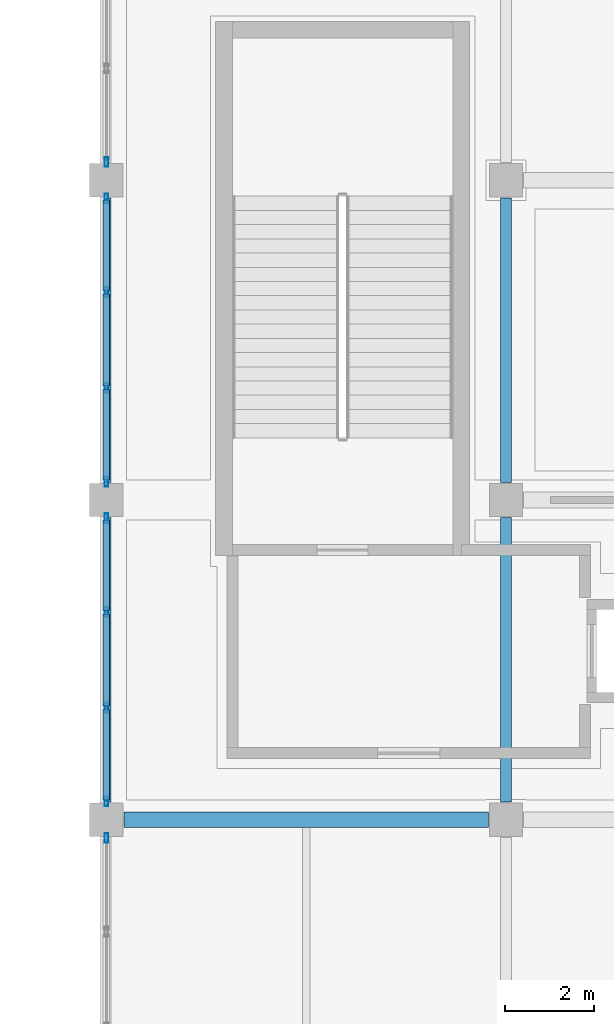
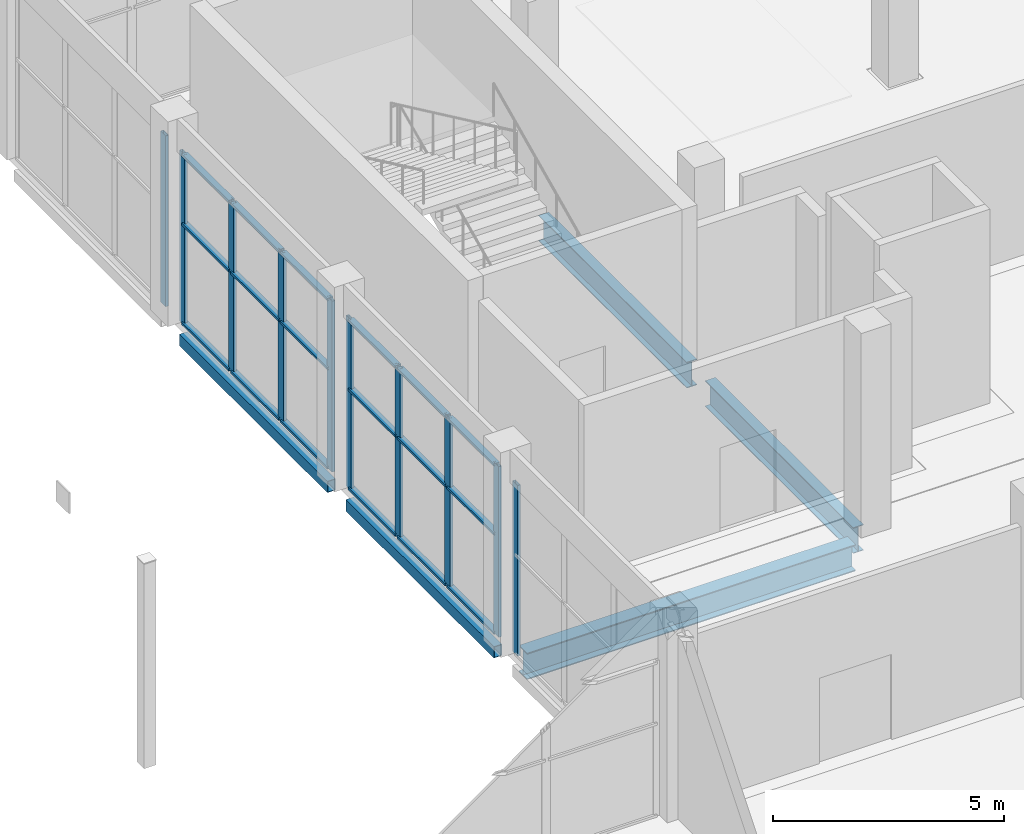
# One storey, part 92 of 189: 28 members, 5 beams, 4 elements without a shape of their own.
"""IFC4 building model written with IfcOpenShell, lengths in metres."""

from ifc_helpers import new_model, si_unit, direction, frame, origin, origin_2d, place, context, subcontext, project, spatial, hollow_rectangle, i_section, extrude, material, layer, layer_set, material_profile, profile_set, type_object, element, aggregate, save


model = new_model("IFC4")

# Units and contexts
model_context = context("Model", 3, precision=1e-05, world=origin(), true_north=direction((0.0, 1.0)))
body_context = subcontext(model_context, "Body", "Model", "MODEL_VIEW")
ifc_project = project(units=[si_unit("LENGTHUNIT", "METRE"), si_unit("AREAUNIT", "SQUARE_METRE"), si_unit("VOLUMEUNIT", "CUBIC_METRE"), si_unit("PLANEANGLEUNIT", "RADIAN"), si_unit("MASSUNIT", "GRAM", prefix="KILO")], contexts=[model_context])

# Site, building, storey
site_placement = place(None, origin())
site = spatial("IfcSite", under=ifc_project, at=site_placement, CompositionType="ELEMENT")
building_placement = place(site_placement, origin())
building = spatial("IfcBuilding", under=site, at=building_placement, Name="Celestram Park Convention Centre", CompositionType="ELEMENT")
storey_placement = place(building_placement, frame((0.0, 0.0, 5.39990234375)))
storey = spatial("IfcBuildingStorey", under=building, at=storey_placement, Name="L01", CompositionType="ELEMENT", Elevation=5.39990234375)

# Curtain wall, member
ifc_material_1 = material(Name="Anodised Aluminium Alloy 6063-T6", Category="aluminium")
ifc_layer_1 = layer(ifc_material_1, 0.179931640625)
ifc_layer_set_1 = layer_set([ifc_layer_1], Name="Anodised Aluminium Alloy 6063-T6")
curtain_wall_type_1 = type_object("IfcCurtainWallType", Name="ARC-CW-645X451", PredefinedType="NOTDEFINED", material=ifc_layer_set_1)
curtain_wall_1_placement = place(storey_placement, origin())
curtain_wall_1 = element("IfcCurtainWall", 1, at=curtain_wall_1_placement, inside=storey, type_object=curtain_wall_type_1, Name="Unitised curtain wall CU-L01-051", PredefinedType="NOTDEFINED")
ifc_material_profile_1 = material_profile(ifc_material_1, hollow_rectangle(XDim=0.074951171875, YDim=0.219970703125, WallThickness=0.00390625, at=origin_2d()), Name="ALU75X220X4")
ifc_profile_set_1 = profile_set([ifc_material_profile_1], Name="Anodised Aluminium Alloy 6063-T6")
member_type_1 = type_object("IfcMemberType", Name="ARC-CWM-180", PredefinedType="MULLION", material=ifc_profile_set_1)
member_1_placement = place(storey_placement, frame((36.0, 143.589599609375, 0.0), z_axis=(0.0, 0.0, 1.0), x_axis=(-1.0, 0.0, 0.0)))
member_1 = element("IfcMember", 2, at=member_1_placement, type_object=member_type_1, Name="CW-64X45 mullion 4", PredefinedType="MULLION", context=body_context, shape_type="SweptSolid", body=[
    extrude(hollow_rectangle(XDim=0.074951171875, YDim=0.219970703125, WallThickness=0.00390625, at=origin_2d()), origin(), (0.0, 0.0, 1.0), 4.508056640625),
])
aggregate(curtain_wall_1, [member_1])

# Curtain wall, members
curtain_wall_2_placement = place(storey_placement, origin())
curtain_wall_2 = element("IfcCurtainWall", 3, at=curtain_wall_2_placement, inside=storey, type_object=curtain_wall_type_1, Name="Unitised curtain wall CU-L01-052", PredefinedType="NOTDEFINED")
member_2_placement = place(storey_placement, frame((36.0, 144.410400390625, 0.0), z_axis=(0.0, 0.0, 1.0), x_axis=(-1.0, 0.0, 0.0)))
member_2 = element("IfcMember", 4, at=member_2_placement, type_object=member_type_1, Name="CW-64X45 mullion 1", PredefinedType="MULLION", context=body_context, shape_type="SweptSolid", body=[
    extrude(hollow_rectangle(XDim=0.074951171875, YDim=0.219970703125, WallThickness=0.00390625, at=origin_2d()), origin(), (0.0, 0.0, 1.0), 4.508056640625),
])
member_3_placement = place(storey_placement, frame((36.0, 146.5244140625, 0.0), z_axis=(0.0, 0.0, 1.0), x_axis=(-1.0, 0.0, 0.0)))
member_3 = element("IfcMember", 5, at=member_3_placement, type_object=member_type_1, Name="CW-64X45 mullion 2", PredefinedType="MULLION", context=body_context, shape_type="SweptSolid", body=[
    extrude(hollow_rectangle(XDim=0.074951171875, YDim=0.219970703125, WallThickness=0.00390625, at=origin_2d()), origin(), (0.0, 0.0, 1.0), 4.508056640625),
])
member_4_placement = place(storey_placement, frame((36.0, 148.67578125, 0.0), z_axis=(0.0, 0.0, 1.0), x_axis=(-1.0, 0.0, 0.0)))
member_4 = element("IfcMember", 6, at=member_4_placement, type_object=member_type_1, Name="CW-64X45 mullion 3", PredefinedType="MULLION", context=body_context, shape_type="SweptSolid", body=[
    extrude(hollow_rectangle(XDim=0.074951171875, YDim=0.219970703125, WallThickness=0.00390625, at=origin_2d()), origin(), (0.0, 0.0, 1.0), 4.508056640625),
])
member_5_placement = place(storey_placement, frame((36.0, 150.78955078125, 0.0), z_axis=(0.0, 0.0, 1.0), x_axis=(-1.0, 0.0, 0.0)))
member_5 = element("IfcMember", 7, at=member_5_placement, type_object=member_type_1, Name="CW-64X45 mullion 4", PredefinedType="MULLION", context=body_context, shape_type="SweptSolid", body=[
    extrude(hollow_rectangle(XDim=0.074951171875, YDim=0.219970703125, WallThickness=0.00390625, at=origin_2d()), origin(), (0.0, 0.0, 1.0), 4.508056640625),
])

curtain_wall_3_placement = place(storey_placement, origin())
curtain_wall_3 = element("IfcCurtainWall", 8, at=curtain_wall_3_placement, inside=storey, type_object=curtain_wall_type_1, Name="Unitised curtain wall CU-L01-053", PredefinedType="NOTDEFINED")
member_6_placement = place(storey_placement, frame((36.0, 151.610595703125, 0.0), z_axis=(0.0, 0.0, 1.0), x_axis=(-1.0, 0.0, 0.0)))
member_6 = element("IfcMember", 9, at=member_6_placement, type_object=member_type_1, Name="CW-64X45 mullion 1", PredefinedType="MULLION", context=body_context, shape_type="SweptSolid", body=[
    extrude(hollow_rectangle(XDim=0.074951171875, YDim=0.219970703125, WallThickness=0.00390625, at=origin_2d()), origin(), (0.0, 0.0, 1.0), 4.508056640625),
])
member_7_placement = place(storey_placement, frame((36.0, 153.724365234375, 0.0), z_axis=(0.0, 0.0, 1.0), x_axis=(-1.0, 0.0, 0.0)))
member_7 = element("IfcMember", 10, at=member_7_placement, type_object=member_type_1, Name="CW-64X45 mullion 2", PredefinedType="MULLION", context=body_context, shape_type="SweptSolid", body=[
    extrude(hollow_rectangle(XDim=0.074951171875, YDim=0.219970703125, WallThickness=0.00390625, at=origin_2d()), origin(), (0.0, 0.0, 1.0), 4.508056640625),
])
member_8_placement = place(storey_placement, frame((36.0, 155.875732421875, 0.0), z_axis=(0.0, 0.0, 1.0), x_axis=(-1.0, 0.0, 0.0)))
member_8 = element("IfcMember", 11, at=member_8_placement, type_object=member_type_1, Name="CW-64X45 mullion 3", PredefinedType="MULLION", context=body_context, shape_type="SweptSolid", body=[
    extrude(hollow_rectangle(XDim=0.074951171875, YDim=0.219970703125, WallThickness=0.00390625, at=origin_2d()), origin(), (0.0, 0.0, 1.0), 4.508056640625),
])
member_9_placement = place(storey_placement, frame((36.0, 157.989501953125, 0.0), z_axis=(0.0, 0.0, 1.0), x_axis=(-1.0, 0.0, 0.0)))
member_9 = element("IfcMember", 12, at=member_9_placement, type_object=member_type_1, Name="CW-64X45 mullion 4", PredefinedType="MULLION", context=body_context, shape_type="SweptSolid", body=[
    extrude(hollow_rectangle(XDim=0.074951171875, YDim=0.219970703125, WallThickness=0.00390625, at=origin_2d()), origin(), (0.0, 0.0, 1.0), 4.508056640625),
])

# Curtain wall, member
ifc_layer_2 = layer(ifc_material_1, 0.179931640625)
ifc_layer_set_2 = layer_set([ifc_layer_2], Name="Anodised Aluminium Alloy 6063-T6")
curtain_wall_type_2 = type_object("IfcCurtainWallType", Name="ARC-CW-643X451", PredefinedType="NOTDEFINED", material=ifc_layer_set_2)
curtain_wall_4_placement = place(storey_placement, origin())
curtain_wall_4 = element("IfcCurtainWall", 13, at=curtain_wall_4_placement, inside=storey, type_object=curtain_wall_type_2, Name="Unitised curtain wall CU-L01-054", PredefinedType="NOTDEFINED")
member_10_placement = place(storey_placement, frame((36.0, 158.810546875, 0.0), z_axis=(0.0, 0.0, 1.0), x_axis=(-1.0, 0.0, 0.0)))
member_10 = element("IfcMember", 14, at=member_10_placement, type_object=member_type_1, Name="CW-64X45 mullion 1", PredefinedType="MULLION", context=body_context, shape_type="SweptSolid", body=[
    extrude(hollow_rectangle(XDim=0.074951171875, YDim=0.219970703125, WallThickness=0.00390625, at=origin_2d()), origin(), (0.0, 0.0, 1.0), 4.508056640625),
])
aggregate(curtain_wall_4, [member_10])

# Member
ifc_material_profile_2 = material_profile(ifc_material_1, hollow_rectangle(XDim=0.14990234375, YDim=0.06494140625, WallThickness=0.0029296875, at=origin_2d()), Name="ALU150X65X3")
ifc_profile_set_2 = profile_set([ifc_material_profile_2], Name="Anodised Aluminium Alloy 6063-T6")
member_type_2 = type_object("IfcMemberType", Name="ARC-CWT-150", PredefinedType="USERDEFINED", material=ifc_profile_set_2)
member_11_placement = place(storey_placement, frame((36.0, 144.447998046875, 0.03271484375), z_axis=(0.0, 1.0, 0.0), x_axis=(-1.0, 0.0, 0.0)))
member_11 = element("IfcMember", 15, at=member_11_placement, type_object=member_type_2, Name="CW-64X45 transom 1.1", ObjectType="TRANSOM", PredefinedType="USERDEFINED", context=body_context, shape_type="SweptSolid", body=[
    extrude(hollow_rectangle(XDim=0.14990234375, YDim=0.06494140625, WallThickness=0.0029296875, at=origin_2d()), origin(), (0.0, 0.0, 1.0), 2.038818359375),
])

member_12_placement = place(storey_placement, frame((36.0, 144.447998046875, 2.650146484375), z_axis=(0.0, 1.0, 0.0), x_axis=(-1.0, 0.0, 0.0)))
member_12 = element("IfcMember", 16, at=member_12_placement, type_object=member_type_2, Name="CW-64X45 transom 1.2", ObjectType="TRANSOM", PredefinedType="USERDEFINED", context=body_context, shape_type="SweptSolid", body=[
    extrude(hollow_rectangle(XDim=0.14990234375, YDim=0.06494140625, WallThickness=0.0029296875, at=origin_2d()), origin(), (0.0, 0.0, 1.0), 2.038818359375),
])

member_13_placement = place(storey_placement, frame((36.0, 144.447998046875, 4.4755859375), z_axis=(0.0, 1.0, 0.0), x_axis=(-1.0, 0.0, 0.0)))
member_13 = element("IfcMember", 17, at=member_13_placement, type_object=member_type_2, Name="CW-64X45 transom 1.3", ObjectType="TRANSOM", PredefinedType="USERDEFINED", context=body_context, shape_type="SweptSolid", body=[
    extrude(hollow_rectangle(XDim=0.14990234375, YDim=0.06494140625, WallThickness=0.0029296875, at=origin_2d()), origin(), (0.0, 0.0, 1.0), 2.038818359375),
])

member_14_placement = place(storey_placement, frame((36.0, 146.561767578125, 0.03271484375), z_axis=(0.0, 1.0, 0.0), x_axis=(-1.0, 0.0, 0.0)))
member_14 = element("IfcMember", 18, at=member_14_placement, type_object=member_type_2, Name="CW-64X45 transom 2.1", ObjectType="TRANSOM", PredefinedType="USERDEFINED", context=body_context, shape_type="SweptSolid", body=[
    extrude(hollow_rectangle(XDim=0.14990234375, YDim=0.06494140625, WallThickness=0.0029296875, at=origin_2d()), origin(), (0.0, 0.0, 1.0), 2.076416015625),
])

member_15_placement = place(storey_placement, frame((36.0, 146.561767578125, 2.650146484375), z_axis=(0.0, 1.0, 0.0), x_axis=(-1.0, 0.0, 0.0)))
member_15 = element("IfcMember", 19, at=member_15_placement, type_object=member_type_2, Name="CW-64X45 transom 2.2", ObjectType="TRANSOM", PredefinedType="USERDEFINED", context=body_context, shape_type="SweptSolid", body=[
    extrude(hollow_rectangle(XDim=0.14990234375, YDim=0.06494140625, WallThickness=0.0029296875, at=origin_2d()), origin(), (0.0, 0.0, 1.0), 2.076416015625),
])

member_16_placement = place(storey_placement, frame((36.0, 146.561767578125, 4.4755859375), z_axis=(0.0, 1.0, 0.0), x_axis=(-1.0, 0.0, 0.0)))
member_16 = element("IfcMember", 20, at=member_16_placement, type_object=member_type_2, Name="CW-64X45 transom 2.3", ObjectType="TRANSOM", PredefinedType="USERDEFINED", context=body_context, shape_type="SweptSolid", body=[
    extrude(hollow_rectangle(XDim=0.14990234375, YDim=0.06494140625, WallThickness=0.0029296875, at=origin_2d()), origin(), (0.0, 0.0, 1.0), 2.076416015625),
])

member_17_placement = place(storey_placement, frame((36.0, 148.713134765625, 0.03271484375), z_axis=(0.0, 1.0, 0.0), x_axis=(-1.0, 0.0, 0.0)))
member_17 = element("IfcMember", 21, at=member_17_placement, type_object=member_type_2, Name="CW-64X45 transom 3.1", ObjectType="TRANSOM", PredefinedType="USERDEFINED", context=body_context, shape_type="SweptSolid", body=[
    extrude(hollow_rectangle(XDim=0.14990234375, YDim=0.06494140625, WallThickness=0.0029296875, at=origin_2d()), origin(), (0.0, 0.0, 1.0), 2.038818359375),
])

member_18_placement = place(storey_placement, frame((36.0, 148.713134765625, 2.650146484375), z_axis=(0.0, 1.0, 0.0), x_axis=(-1.0, 0.0, 0.0)))
member_18 = element("IfcMember", 22, at=member_18_placement, type_object=member_type_2, Name="CW-64X45 transom 3.2", ObjectType="TRANSOM", PredefinedType="USERDEFINED", context=body_context, shape_type="SweptSolid", body=[
    extrude(hollow_rectangle(XDim=0.14990234375, YDim=0.06494140625, WallThickness=0.0029296875, at=origin_2d()), origin(), (0.0, 0.0, 1.0), 2.038818359375),
])

member_19_placement = place(storey_placement, frame((36.0, 148.713134765625, 4.4755859375), z_axis=(0.0, 1.0, 0.0), x_axis=(-1.0, 0.0, 0.0)))
member_19 = element("IfcMember", 23, at=member_19_placement, type_object=member_type_2, Name="CW-64X45 transom 3.3", ObjectType="TRANSOM", PredefinedType="USERDEFINED", context=body_context, shape_type="SweptSolid", body=[
    extrude(hollow_rectangle(XDim=0.14990234375, YDim=0.06494140625, WallThickness=0.0029296875, at=origin_2d()), origin(), (0.0, 0.0, 1.0), 2.038818359375),
])

aggregate(curtain_wall_2, [member_2, member_3, member_4, member_5, member_11, member_12, member_13, member_14, member_15, member_16, member_17, member_18, member_19])

member_20_placement = place(storey_placement, frame((36.0, 151.64794921875, 0.03271484375), z_axis=(0.0, 1.0, 0.0), x_axis=(-1.0, 0.0, 0.0)))
member_20 = element("IfcMember", 24, at=member_20_placement, type_object=member_type_2, Name="CW-64X45 transom 1.1", ObjectType="TRANSOM", PredefinedType="USERDEFINED", context=body_context, shape_type="SweptSolid", body=[
    extrude(hollow_rectangle(XDim=0.14990234375, YDim=0.06494140625, WallThickness=0.0029296875, at=origin_2d()), origin(), (0.0, 0.0, 1.0), 2.038818359375),
])

member_21_placement = place(storey_placement, frame((36.0, 151.64794921875, 2.650146484375), z_axis=(0.0, 1.0, 0.0), x_axis=(-1.0, 0.0, 0.0)))
member_21 = element("IfcMember", 25, at=member_21_placement, type_object=member_type_2, Name="CW-64X45 transom 1.2", ObjectType="TRANSOM", PredefinedType="USERDEFINED", context=body_context, shape_type="SweptSolid", body=[
    extrude(hollow_rectangle(XDim=0.14990234375, YDim=0.06494140625, WallThickness=0.0029296875, at=origin_2d()), origin(), (0.0, 0.0, 1.0), 2.038818359375),
])

member_22_placement = place(storey_placement, frame((36.0, 151.64794921875, 4.4755859375), z_axis=(0.0, 1.0, 0.0), x_axis=(-1.0, 0.0, 0.0)))
member_22 = element("IfcMember", 26, at=member_22_placement, type_object=member_type_2, Name="CW-64X45 transom 1.3", ObjectType="TRANSOM", PredefinedType="USERDEFINED", context=body_context, shape_type="SweptSolid", body=[
    extrude(hollow_rectangle(XDim=0.14990234375, YDim=0.06494140625, WallThickness=0.0029296875, at=origin_2d()), origin(), (0.0, 0.0, 1.0), 2.038818359375),
])

member_23_placement = place(storey_placement, frame((36.0, 153.76171875, 0.03271484375), z_axis=(0.0, 1.0, 0.0), x_axis=(-1.0, 0.0, 0.0)))
member_23 = element("IfcMember", 27, at=member_23_placement, type_object=member_type_2, Name="CW-64X45 transom 2.1", ObjectType="TRANSOM", PredefinedType="USERDEFINED", context=body_context, shape_type="SweptSolid", body=[
    extrude(hollow_rectangle(XDim=0.14990234375, YDim=0.06494140625, WallThickness=0.0029296875, at=origin_2d()), origin(), (0.0, 0.0, 1.0), 2.076416015625),
])

member_24_placement = place(storey_placement, frame((36.0, 153.76171875, 2.650146484375), z_axis=(0.0, 1.0, 0.0), x_axis=(-1.0, 0.0, 0.0)))
member_24 = element("IfcMember", 28, at=member_24_placement, type_object=member_type_2, Name="CW-64X45 transom 2.2", ObjectType="TRANSOM", PredefinedType="USERDEFINED", context=body_context, shape_type="SweptSolid", body=[
    extrude(hollow_rectangle(XDim=0.14990234375, YDim=0.06494140625, WallThickness=0.0029296875, at=origin_2d()), origin(), (0.0, 0.0, 1.0), 2.076416015625),
])

member_25_placement = place(storey_placement, frame((36.0, 153.76171875, 4.4755859375), z_axis=(0.0, 1.0, 0.0), x_axis=(-1.0, 0.0, 0.0)))
member_25 = element("IfcMember", 29, at=member_25_placement, type_object=member_type_2, Name="CW-64X45 transom 2.3", ObjectType="TRANSOM", PredefinedType="USERDEFINED", context=body_context, shape_type="SweptSolid", body=[
    extrude(hollow_rectangle(XDim=0.14990234375, YDim=0.06494140625, WallThickness=0.0029296875, at=origin_2d()), origin(), (0.0, 0.0, 1.0), 2.076416015625),
])

member_26_placement = place(storey_placement, frame((36.0, 155.9130859375, 0.03271484375), z_axis=(0.0, 1.0, 0.0), x_axis=(-1.0, 0.0, 0.0)))
member_26 = element("IfcMember", 30, at=member_26_placement, type_object=member_type_2, Name="CW-64X45 transom 3.1", ObjectType="TRANSOM", PredefinedType="USERDEFINED", context=body_context, shape_type="SweptSolid", body=[
    extrude(hollow_rectangle(XDim=0.14990234375, YDim=0.06494140625, WallThickness=0.0029296875, at=origin_2d()), origin(), (0.0, 0.0, 1.0), 2.038818359375),
])

member_27_placement = place(storey_placement, frame((36.0, 155.9130859375, 2.650146484375), z_axis=(0.0, 1.0, 0.0), x_axis=(-1.0, 0.0, 0.0)))
member_27 = element("IfcMember", 31, at=member_27_placement, type_object=member_type_2, Name="CW-64X45 transom 3.2", ObjectType="TRANSOM", PredefinedType="USERDEFINED", context=body_context, shape_type="SweptSolid", body=[
    extrude(hollow_rectangle(XDim=0.14990234375, YDim=0.06494140625, WallThickness=0.0029296875, at=origin_2d()), origin(), (0.0, 0.0, 1.0), 2.038818359375),
])

member_28_placement = place(storey_placement, frame((36.0, 155.9130859375, 4.4755859375), z_axis=(0.0, 1.0, 0.0), x_axis=(-1.0, 0.0, 0.0)))
member_28 = element("IfcMember", 32, at=member_28_placement, type_object=member_type_2, Name="CW-64X45 transom 3.3", ObjectType="TRANSOM", PredefinedType="USERDEFINED", context=body_context, shape_type="SweptSolid", body=[
    extrude(hollow_rectangle(XDim=0.14990234375, YDim=0.06494140625, WallThickness=0.0029296875, at=origin_2d()), origin(), (0.0, 0.0, 1.0), 2.038818359375),
])

aggregate(curtain_wall_3, [member_6, member_7, member_8, member_9, member_20, member_21, member_22, member_23, member_24, member_25, member_26, member_27, member_28])

# Beams
ifc_material_2 = material(Name="Steel ASTM A992 Grade 50", Category="steel")
ifc_material_profile_3 = material_profile(ifc_material_2, i_section(OverallWidth=0.35595703125, OverallDepth=0.696044921875, WebThickness=0.015380859375, FlangeThickness=0.02490234375, at=origin_2d()), Name="W27X146")
ifc_profile_set_3 = profile_set([ifc_material_profile_3], Name="Steel ASTM A992 Grade 50")
beam_type_1 = type_object("IfcBeamType", Name="STR-BM-W27X146", PredefinedType="BEAM", material=ifc_profile_set_3)
beam_placement = place(storey_placement, frame((36.39794921875, 144.0, -0.6279296875), z_axis=(1.0, 0.0, 0.0), x_axis=(0.0, 1.0, 0.0)))
element("IfcBeam", 33, at=beam_placement, inside=storey, type_object=beam_type_1, Name="Primary X-girder BG-L01-0052", PredefinedType="BEAM", context=body_context, shape_type="SweptSolid", body=[
    extrude(i_section(OverallWidth=0.35595703125, OverallDepth=0.696044921875, WebThickness=0.015380859375, FlangeThickness=0.02490234375, at=origin_2d()), origin(), (0.0, 0.0, 1.0), 8.2041015625),
])
ifc_material_profile_4 = material_profile(ifc_material_2, i_section(OverallWidth=0.25390625, OverallDepth=0.68310546875, WebThickness=0.012451171875, FlangeThickness=0.01904296875, at=origin_2d()), Name="W27X94")
ifc_profile_set_4 = profile_set([ifc_material_profile_4], Name="Steel ASTM A992 Grade 50")
beam_type_2 = type_object("IfcBeamType", Name="STR-BM-W27X94", PredefinedType="BEAM", material=ifc_profile_set_4)
for number, where, z_axis, x_axis, name in (
    (34, (45.0, 144.39794921875, -0.621337890625), (0.0, 1.0, 0.0), (-1.0, 0.0, 0.0), "Primary Y-girder BG-L01-0074"),
    (35, (45.0, 151.597900390625, -0.621337890625), (0.0, 1.0, 0.0), (-1.0, 0.0, 0.0), "Primary Y-girder BG-L01-0076"),
):
    element("IfcBeam", number, at=place(storey_placement, frame(where, z_axis=z_axis, x_axis=x_axis)), inside=storey, type_object=beam_type_2, Name=name, PredefinedType="BEAM", context=body_context, shape_type="SweptSolid", body=[
        extrude(i_section(OverallWidth=0.25390625, OverallDepth=0.68310546875, WebThickness=0.012451171875, FlangeThickness=0.01904296875, at=origin_2d()), origin(), (0.0, 0.0, 1.0), 6.404052734375),
    ])
ifc_material_3 = material(Name="Steel ASTM A500 Grade C", Category="steel")
ifc_material_profile_5 = material_profile(ifc_material_3, hollow_rectangle(XDim=0.199951171875, YDim=0.300048828125, WallThickness=0.011962890625, at=origin_2d()), Name="HSS300X200X12")
ifc_profile_set_5 = profile_set([ifc_material_profile_5], Name="Steel ASTM A500 Grade C")
beam_type_3 = type_object("IfcBeamType", Name="STR-SPN-HSS300X200", PredefinedType="SPANDREL", material=ifc_profile_set_5)
for number, where, z_axis, x_axis, name in (
    (36, (36.0, 144.39794921875, -0.429931640625), (0.0, 1.0, 0.0), (-1.0, 0.0, 0.0), "Primary Y-girder BG-L01-0053"),
    (37, (36.0, 151.597900390625, -0.429931640625), (0.0, 1.0, 0.0), (-1.0, 0.0, 0.0), "Primary Y-girder BG-L01-0054"),
):
    element("IfcBeam", number, at=place(storey_placement, frame(where, z_axis=z_axis, x_axis=x_axis)), inside=storey, type_object=beam_type_3, Name=name, PredefinedType="SPANDREL", context=body_context, shape_type="SweptSolid", body=[
        extrude(hollow_rectangle(XDim=0.199951171875, YDim=0.300048828125, WallThickness=0.011962890625, at=origin_2d()), origin(), (0.0, 0.0, 1.0), 6.404052734375),
    ])

save(model, "model.ifc")
